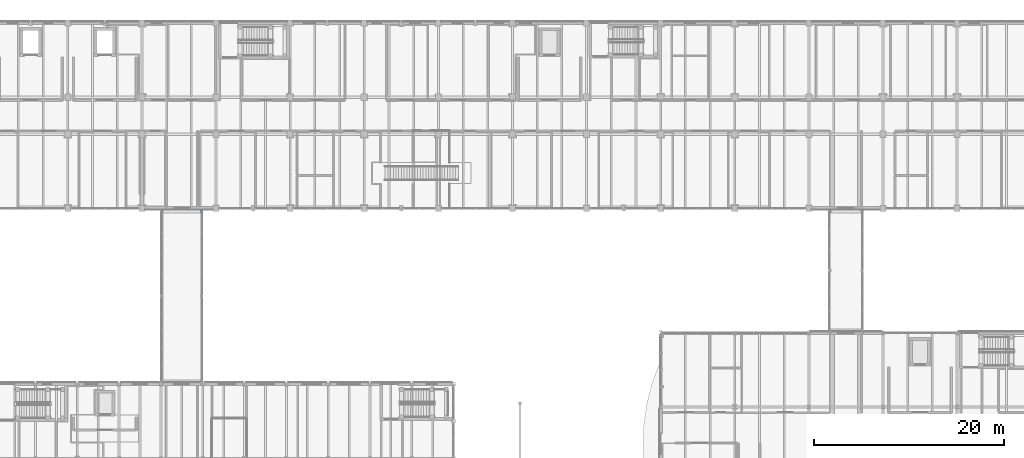
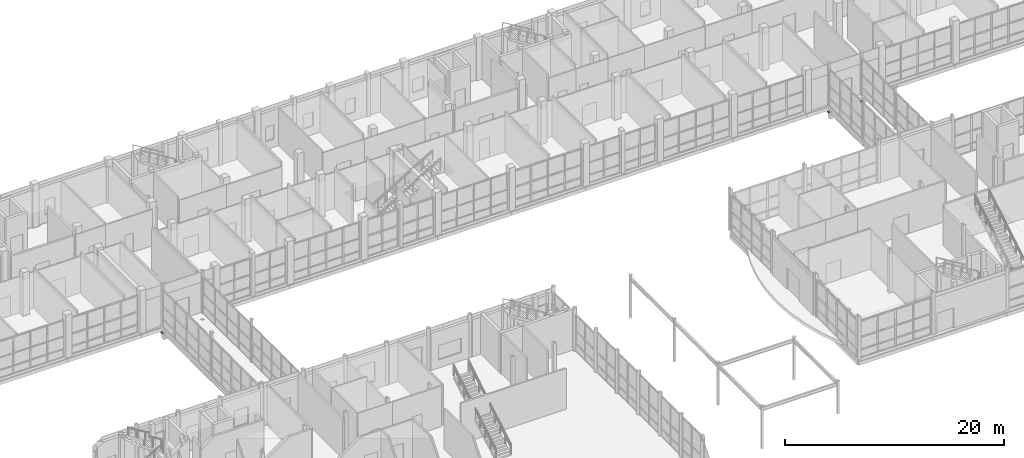
# One storey, part 109 of 131: 4 discrete accessories.
"""IFC4 building model written with IfcOpenShell, lengths in metres."""

from ifc_helpers import new_model, si_unit, direction, frame, origin, origin_2d, place, context, subcontext, project, spatial, rectangle, extrude, material, type_object, element, save


model = new_model("IFC4")

# Units and contexts
model_context = context("Model", 3, precision=1e-05, world=origin(), true_north=direction((0.0, 1.0)))
body_context = subcontext(model_context, "Body", "Model", "MODEL_VIEW")
ifc_project = project(units=[si_unit("LENGTHUNIT", "METRE"), si_unit("AREAUNIT", "SQUARE_METRE"), si_unit("VOLUMEUNIT", "CUBIC_METRE"), si_unit("PLANEANGLEUNIT", "RADIAN"), si_unit("MASSUNIT", "GRAM", prefix="KILO")], contexts=[model_context])

# Site, building, storey
site_placement = place(None, origin())
site = spatial("IfcSite", under=ifc_project, at=site_placement, CompositionType="ELEMENT")
building_placement = place(site_placement, origin())
building = spatial("IfcBuilding", under=site, at=building_placement, Name="Celorna Specialist Clinic", CompositionType="ELEMENT")
storey_placement = place(building_placement, origin())
storey = spatial("IfcBuildingStorey", under=building, at=storey_placement, Name="L00", CompositionType="ELEMENT", Elevation=0.0)

# Discrete accessories
ifc_material = material(Name="Biaxially unguided PTFE elastomeric sliding bearing")
discrete_accessory_type = type_object("IfcDiscreteAccessoryType", Name="SBG-01", PredefinedType="USERDEFINED", material=ifc_material)
for number, where, z_axis, x_axis, name in (
    (1, (72.300048828125, 96.199951171875, -0.71484375), (0.0, 0.0, 1.0), (1.0, 0.0, 0.0), "Unguided PTFE bridge sliding bearing BR-04 L00"),
    (2, (76.5, 96.199951171875, -0.71484375), (0.0, 0.0, 1.0), (1.0, 0.0, 0.0), "Unguided PTFE bridge sliding bearing BR-04 L00"),
    (3, (142.60009765625, 96.199951171875, -0.71484375), (0.0, 0.0, 1.0), (1.0, 0.0, 0.0), "Unguided PTFE bridge sliding bearing BR-05 L00"),
    (4, (146.0, 96.199951171875, -0.71484375), (0.0, 0.0, 1.0), (1.0, 0.0, 0.0), "Unguided PTFE bridge sliding bearing BR-05 L00"),
):
    element("IfcDiscreteAccessory", number, at=place(storey_placement, frame(where, z_axis=z_axis, x_axis=x_axis)), inside=storey, type_object=discrete_accessory_type, Name=name, ObjectType="SLIDING BEARING", PredefinedType="USERDEFINED", context=body_context, shape_type="SweptSolid", body=[
        extrude(rectangle(XDim=0.280029296875, YDim=0.280029296875, at=origin_2d()), origin(), (0.0, 0.0, 1.0), 0.044921875),
    ])

save(model, "model.ifc")
